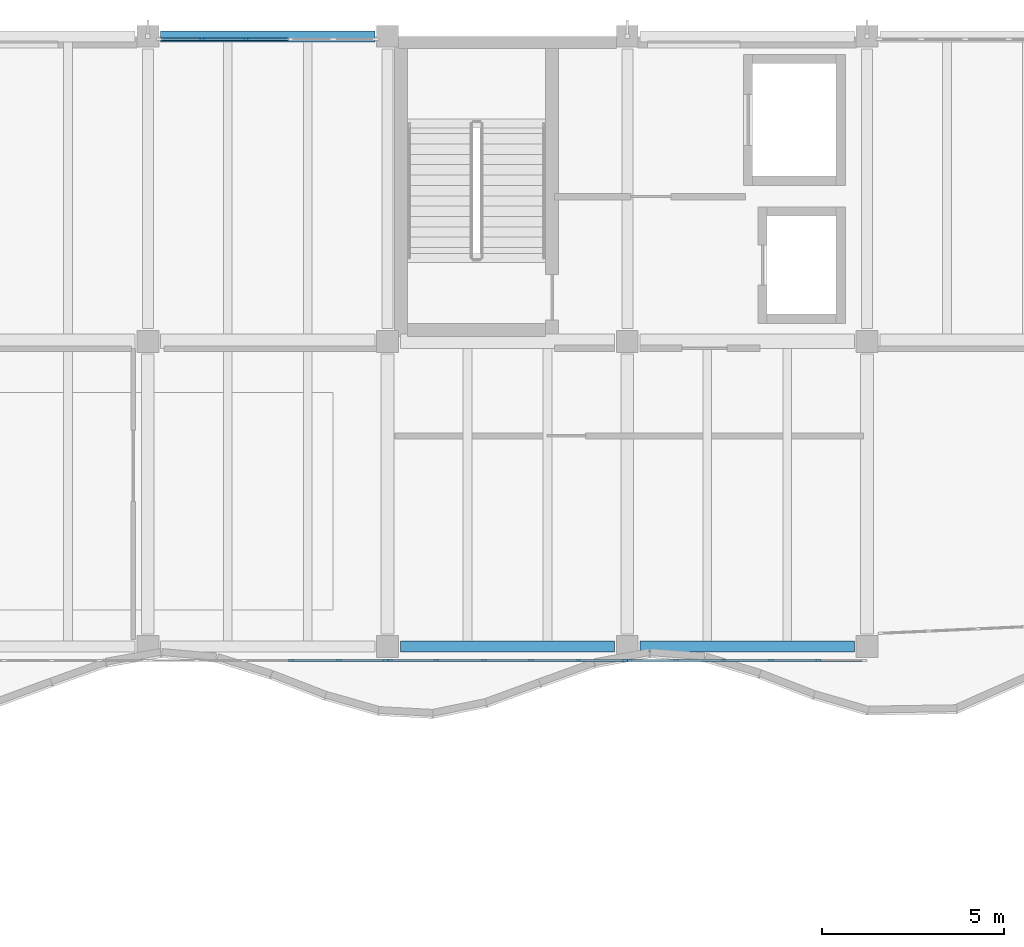
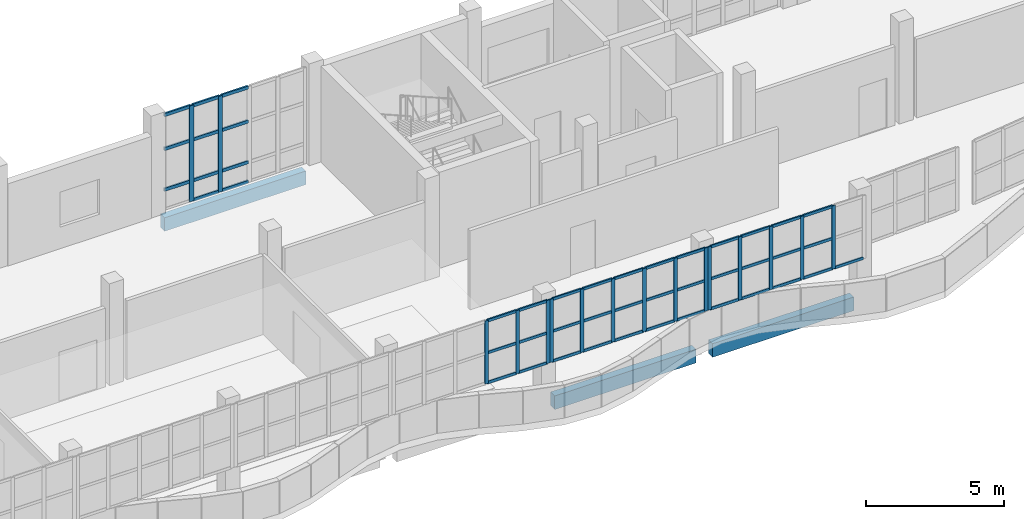
# One storey, part 14 of 76: 61 members, 3 beams, 4 elements without a shape of their own.
"""IFC4 building model written with IfcOpenShell, lengths in metres."""

from ifc_helpers import new_model, si_unit, direction, frame, origin, origin_2d, place, context, subcontext, project, spatial, rectangle, extrude, material, material_profile, profile_set, type_object, element, aggregate, save


model = new_model("IFC4")

# Units and contexts
model_context = context("Model", 3, precision=1e-05, world=origin(), true_north=direction((0.0, 1.0)))
body_context = subcontext(model_context, "Body", "Model", "MODEL_VIEW")
ifc_project = project(units=[si_unit("LENGTHUNIT", "METRE"), si_unit("AREAUNIT", "SQUARE_METRE"), si_unit("VOLUMEUNIT", "CUBIC_METRE"), si_unit("PLANEANGLEUNIT", "RADIAN"), si_unit("MASSUNIT", "GRAM", prefix="KILO")], contexts=[model_context])

# Site, building, storey
site_placement = place(None, origin())
site = spatial("IfcSite", under=ifc_project, at=site_placement, CompositionType="ELEMENT")
building_placement = place(site_placement, origin())
building = spatial("IfcBuilding", under=site, at=building_placement, Name="Qaldarim Faculty of Natural and Applied Sciences", CompositionType="ELEMENT")
storey_placement = place(building_placement, frame((0.0, 0.0, 9.89990234375)))
storey = spatial("IfcBuildingStorey", under=building, at=storey_placement, Name="L02", CompositionType="ELEMENT", Elevation=9.89990234375)

# Curtain wall, members
ifc_material_1 = material(Name="Anodised aluminium AW-6063", Category="aluminium")
curtain_wall_type_1 = type_object("IfcCurtainWallType", Name="CurtainWallSystem-M1400", PredefinedType="USERDEFINED", material=ifc_material_1)
curtain_wall_1_placement = place(storey_placement, origin())
curtain_wall_1 = element("IfcCurtainWall", 1, at=curtain_wall_1_placement, inside=storey, type_object=curtain_wall_type_1, Name="Curtain wall CW-V4RIB-L02-X15", ObjectType="STICK CURTAIN WALL", PredefinedType="USERDEFINED")
ifc_material_profile_1 = material_profile(ifc_material_1, rectangle(XDim=0.06005859375, YDim=0.14990234375, at=origin_2d()), Name="ALU-M60x150")
ifc_profile_set_1 = profile_set([ifc_material_profile_1], Name="Anodised aluminium AW-6063")
member_type_1 = type_object("IfcMemberType", Name="Mullion-ALU60x150", PredefinedType="MULLION", material=ifc_profile_set_1)
member_1_placement = place(storey_placement, frame((96.35205078125, 100.419921875, 1.4501953125), z_axis=(0.0, 0.0, 1.0), x_axis=(0.0, 1.0, 0.0)))
member_1 = element("IfcMember", 2, at=member_1_placement, type_object=member_type_1, Name="Mullion 4 of CW-V4RIB-L02-X15", PredefinedType="MULLION", context=body_context, shape_type="SweptSolid", body=[
    extrude(rectangle(XDim=0.06005859375, YDim=0.14990234375, at=origin_2d()), origin(), (0.0, 0.0, 1.0), 2.789794921875),
])
member_2_placement = place(storey_placement, frame((97.656005859375, 100.419921875, 1.4501953125), z_axis=(0.0, 0.0, 1.0), x_axis=(0.0, 1.0, 0.0)))
member_2 = element("IfcMember", 3, at=member_2_placement, type_object=member_type_1, Name="Mullion 5 of CW-V4RIB-L02-X15", PredefinedType="MULLION", context=body_context, shape_type="SweptSolid", body=[
    extrude(rectangle(XDim=0.06005859375, YDim=0.14990234375, at=origin_2d()), origin(), (0.0, 0.0, 1.0), 2.789794921875),
])
member_3_placement = place(storey_placement, frame((98.929931640625, 100.419921875, 1.4501953125), z_axis=(0.0, 0.0, 1.0), x_axis=(0.0, 1.0, 0.0)))
member_3 = element("IfcMember", 4, at=member_3_placement, type_object=member_type_1, Name="Mullion 6 of CW-V4RIB-L02-X15", PredefinedType="MULLION", context=body_context, shape_type="SweptSolid", body=[
    extrude(rectangle(XDim=0.06005859375, YDim=0.14990234375, at=origin_2d()), origin(), (0.0, 0.0, 1.0), 2.789794921875),
])

curtain_wall_2_placement = place(storey_placement, origin())
curtain_wall_2 = element("IfcCurtainWall", 5, at=curtain_wall_2_placement, inside=storey, type_object=curtain_wall_type_1, Name="Curtain wall CW-V4RIB-L02-X16", ObjectType="STICK CURTAIN WALL", PredefinedType="USERDEFINED")
member_4_placement = place(storey_placement, frame((99.070068359375, 100.419921875, 1.4501953125), z_axis=(0.0, 0.0, 1.0), x_axis=(0.0, 1.0, 0.0)))
member_4 = element("IfcMember", 6, at=member_4_placement, type_object=member_type_1, Name="Mullion 1 of CW-V4RIB-L02-X16", PredefinedType="MULLION", context=body_context, shape_type="SweptSolid", body=[
    extrude(rectangle(XDim=0.06005859375, YDim=0.14990234375, at=origin_2d()), origin(), (0.0, 0.0, 1.0), 2.789794921875),
])
member_5_placement = place(storey_placement, frame((100.343994140625, 100.419921875, 1.4501953125), z_axis=(0.0, 0.0, 1.0), x_axis=(0.0, 1.0, 0.0)))
member_5 = element("IfcMember", 7, at=member_5_placement, type_object=member_type_1, Name="Mullion 2 of CW-V4RIB-L02-X16", PredefinedType="MULLION", context=body_context, shape_type="SweptSolid", body=[
    extrude(rectangle(XDim=0.06005859375, YDim=0.14990234375, at=origin_2d()), origin(), (0.0, 0.0, 1.0), 2.789794921875),
])
member_6_placement = place(storey_placement, frame((101.64794921875, 100.419921875, 1.4501953125), z_axis=(0.0, 0.0, 1.0), x_axis=(0.0, 1.0, 0.0)))
member_6 = element("IfcMember", 8, at=member_6_placement, type_object=member_type_1, Name="Mullion 3 of CW-V4RIB-L02-X16", PredefinedType="MULLION", context=body_context, shape_type="SweptSolid", body=[
    extrude(rectangle(XDim=0.06005859375, YDim=0.14990234375, at=origin_2d()), origin(), (0.0, 0.0, 1.0), 2.789794921875),
])
member_7_placement = place(storey_placement, frame((102.951904296875, 100.419921875, 1.4501953125), z_axis=(0.0, 0.0, 1.0), x_axis=(0.0, 1.0, 0.0)))
member_7 = element("IfcMember", 9, at=member_7_placement, type_object=member_type_1, Name="Mullion 4 of CW-V4RIB-L02-X16", PredefinedType="MULLION", context=body_context, shape_type="SweptSolid", body=[
    extrude(rectangle(XDim=0.06005859375, YDim=0.14990234375, at=origin_2d()), origin(), (0.0, 0.0, 1.0), 2.789794921875),
])
member_8_placement = place(storey_placement, frame((104.256103515625, 100.419921875, 1.4501953125), z_axis=(0.0, 0.0, 1.0), x_axis=(0.0, 1.0, 0.0)))
member_8 = element("IfcMember", 10, at=member_8_placement, type_object=member_type_1, Name="Mullion 5 of CW-V4RIB-L02-X16", PredefinedType="MULLION", context=body_context, shape_type="SweptSolid", body=[
    extrude(rectangle(XDim=0.06005859375, YDim=0.14990234375, at=origin_2d()), origin(), (0.0, 0.0, 1.0), 2.789794921875),
])
member_9_placement = place(storey_placement, frame((105.530029296875, 100.419921875, 1.4501953125), z_axis=(0.0, 0.0, 1.0), x_axis=(0.0, 1.0, 0.0)))
member_9 = element("IfcMember", 11, at=member_9_placement, type_object=member_type_1, Name="Mullion 6 of CW-V4RIB-L02-X16", PredefinedType="MULLION", context=body_context, shape_type="SweptSolid", body=[
    extrude(rectangle(XDim=0.06005859375, YDim=0.14990234375, at=origin_2d()), origin(), (0.0, 0.0, 1.0), 2.789794921875),
])

curtain_wall_3_placement = place(storey_placement, origin())
curtain_wall_3 = element("IfcCurtainWall", 12, at=curtain_wall_3_placement, inside=storey, type_object=curtain_wall_type_1, Name="Curtain wall CW-V4RIB-L02-X17", ObjectType="STICK CURTAIN WALL", PredefinedType="USERDEFINED")
member_10_placement = place(storey_placement, frame((105.669921875, 100.419921875, 1.4501953125), z_axis=(0.0, 0.0, 1.0), x_axis=(0.0, 1.0, 0.0)))
member_10 = element("IfcMember", 13, at=member_10_placement, type_object=member_type_1, Name="Mullion 1 of CW-V4RIB-L02-X17", PredefinedType="MULLION", context=body_context, shape_type="SweptSolid", body=[
    extrude(rectangle(XDim=0.06005859375, YDim=0.14990234375, at=origin_2d()), origin(), (0.0, 0.0, 1.0), 2.789794921875),
])
member_11_placement = place(storey_placement, frame((106.944091796875, 100.419921875, 1.4501953125), z_axis=(0.0, 0.0, 1.0), x_axis=(0.0, 1.0, 0.0)))
member_11 = element("IfcMember", 14, at=member_11_placement, type_object=member_type_1, Name="Mullion 2 of CW-V4RIB-L02-X17", PredefinedType="MULLION", context=body_context, shape_type="SweptSolid", body=[
    extrude(rectangle(XDim=0.06005859375, YDim=0.14990234375, at=origin_2d()), origin(), (0.0, 0.0, 1.0), 2.789794921875),
])
member_12_placement = place(storey_placement, frame((108.248046875, 100.419921875, 1.4501953125), z_axis=(0.0, 0.0, 1.0), x_axis=(0.0, 1.0, 0.0)))
member_12 = element("IfcMember", 15, at=member_12_placement, type_object=member_type_1, Name="Mullion 3 of CW-V4RIB-L02-X17", PredefinedType="MULLION", context=body_context, shape_type="SweptSolid", body=[
    extrude(rectangle(XDim=0.06005859375, YDim=0.14990234375, at=origin_2d()), origin(), (0.0, 0.0, 1.0), 2.789794921875),
])
member_13_placement = place(storey_placement, frame((109.552001953125, 100.419921875, 1.4501953125), z_axis=(0.0, 0.0, 1.0), x_axis=(0.0, 1.0, 0.0)))
member_13 = element("IfcMember", 16, at=member_13_placement, type_object=member_type_1, Name="Mullion 4 of CW-V4RIB-L02-X17", PredefinedType="MULLION", context=body_context, shape_type="SweptSolid", body=[
    extrude(rectangle(XDim=0.06005859375, YDim=0.14990234375, at=origin_2d()), origin(), (0.0, 0.0, 1.0), 2.789794921875),
])
member_14_placement = place(storey_placement, frame((110.85595703125, 100.419921875, 1.4501953125), z_axis=(0.0, 0.0, 1.0), x_axis=(0.0, 1.0, 0.0)))
member_14 = element("IfcMember", 17, at=member_14_placement, type_object=member_type_1, Name="Mullion 5 of CW-V4RIB-L02-X17", PredefinedType="MULLION", context=body_context, shape_type="SweptSolid", body=[
    extrude(rectangle(XDim=0.06005859375, YDim=0.14990234375, at=origin_2d()), origin(), (0.0, 0.0, 1.0), 2.789794921875),
])

curtain_wall_type_2 = type_object("IfcCurtainWallType", Name="CurtainWallSystem-M1200", PredefinedType="USERDEFINED", material=ifc_material_1)
curtain_wall_4_placement = place(storey_placement, origin())
curtain_wall_4 = element("IfcCurtainWall", 18, at=curtain_wall_4_placement, inside=storey, type_object=curtain_wall_type_2, Name="Curtain wall CW-L02-N-X15Y14", ObjectType="STICK CURTAIN WALL", PredefinedType="USERDEFINED")
ifc_material_profile_2 = material_profile(ifc_material_1, rectangle(XDim=0.070068359375, YDim=0.179931640625, at=origin_2d()), Name="ALU-M70x180")
ifc_profile_set_2 = profile_set([ifc_material_profile_2], Name="Anodised aluminium AW-6063")
member_type_2 = type_object("IfcMemberType", Name="Mullion-ALU70x180", PredefinedType="MULLION", material=ifc_profile_set_2)
member_15_placement = place(storey_placement, frame((95.09912109375, 117.52001953125, 0.0), z_axis=(0.0, 0.0, 1.0), x_axis=(0.0, -1.0, 0.0)))
member_15 = element("IfcMember", 19, at=member_15_placement, type_object=member_type_2, Name="Mullion 4 of CW-L02-N-X15Y14", PredefinedType="MULLION", context=body_context, shape_type="SweptSolid", body=[
    extrude(rectangle(XDim=0.070068359375, YDim=0.179931640625, at=origin_2d()), origin(), (0.0, 0.0, 1.0), 4.239990234375),
])
member_16_placement = place(storey_placement, frame((93.89697265625, 117.52001953125, 0.0), z_axis=(0.0, 0.0, 1.0), x_axis=(0.0, -1.0, 0.0)))
member_16 = element("IfcMember", 20, at=member_16_placement, type_object=member_type_2, Name="Mullion 5 of CW-L02-N-X15Y14", PredefinedType="MULLION", context=body_context, shape_type="SweptSolid", body=[
    extrude(rectangle(XDim=0.070068359375, YDim=0.179931640625, at=origin_2d()), origin(), (0.0, 0.0, 1.0), 4.239990234375),
])

# Beams
ifc_material_2 = material(Name="Precast concrete C40/50", Category="concrete")
ifc_material_profile_3 = material_profile(ifc_material_2, rectangle(XDim=0.300048828125, YDim=0.60009765625, at=origin_2d()), Name="RC-SP300x600")
ifc_profile_set_3 = profile_set([ifc_material_profile_3], Name="Precast concrete C40/50")
beam_type = type_object("IfcBeamType", Name="SpandrelBeam-RC300x600", PredefinedType="SPANDREL", material=ifc_profile_set_3)
beam_1_placement = place(storey_placement, frame((99.35009765625, 100.800048828125, -0.599853515625), z_axis=(1.0, 0.0, 0.0), x_axis=(0.0, 1.0, 0.0)))
element("IfcBeam", 21, at=beam_1_placement, inside=storey, type_object=beam_type, Name="Beam RC-SP300x600 L01 X16-X17/Y13", PredefinedType="SPANDREL", context=body_context, shape_type="SweptSolid", body=[
    extrude(rectangle(XDim=0.300048828125, YDim=0.60009765625, at=origin_2d()), origin(), (0.0, 0.0, 1.0), 5.89990234375),
])
beam_2_placement = place(storey_placement, frame((105.949951171875, 100.800048828125, -0.599853515625), z_axis=(1.0, 0.0, 0.0), x_axis=(0.0, 1.0, 0.0)))
element("IfcBeam", 22, at=beam_2_placement, inside=storey, type_object=beam_type, Name="Beam RC-SP300x600 L01 X17-X18/Y13", PredefinedType="SPANDREL", context=body_context, shape_type="SweptSolid", body=[
    extrude(rectangle(XDim=0.300048828125, YDim=0.60009765625, at=origin_2d()), origin(), (0.0, 0.0, 1.0), 5.900146484375),
])
beam_3_placement = place(storey_placement, frame((92.75, 117.60009765625, -0.599853515625), z_axis=(1.0, 0.0, 0.0), x_axis=(0.0, 1.0, 0.0)))
element("IfcBeam", 23, at=beam_3_placement, inside=storey, type_object=beam_type, Name="Beam RC-SP300x600 L01 X15-X16/Y15", PredefinedType="SPANDREL", context=body_context, shape_type="SweptSolid", body=[
    extrude(rectangle(XDim=0.300048828125, YDim=0.60009765625, at=origin_2d()), origin(), (0.0, 0.0, 1.0), 5.89990234375),
])

# Member
ifc_material_profile_4 = material_profile(ifc_material_1, rectangle(XDim=0.06005859375, YDim=0.1201171875, at=origin_2d()), Name="ALU-T60x120")
ifc_profile_set_4 = profile_set([ifc_material_profile_4], Name="Anodised aluminium AW-6063")
member_type_3 = type_object("IfcMemberType", Name="Transom-ALU60x120", PredefinedType="USERDEFINED", material=ifc_profile_set_4)
member_17_placement = place(storey_placement, frame((96.382080078125, 100.419921875, 1.47998046875), z_axis=(1.0, 0.0, 0.0), x_axis=(0.0, 1.0, 0.0)))
member_17 = element("IfcMember", 24, at=member_17_placement, type_object=member_type_3, Name="Transom 4-1 of CW-V4RIB-L02-X15", ObjectType="TRANSOM", PredefinedType="USERDEFINED", context=body_context, shape_type="SweptSolid", body=[
    extrude(rectangle(XDim=0.06005859375, YDim=0.1201171875, at=origin_2d()), origin(), (0.0, 0.0, 1.0), 1.243896484375),
])

member_18_placement = place(storey_placement, frame((96.382080078125, 100.419921875, 2.800048828125), z_axis=(1.0, 0.0, 0.0), x_axis=(0.0, 1.0, 0.0)))
member_18 = element("IfcMember", 25, at=member_18_placement, type_object=member_type_3, Name="Transom 4-2 of CW-V4RIB-L02-X15", ObjectType="TRANSOM", PredefinedType="USERDEFINED", context=body_context, shape_type="SweptSolid", body=[
    extrude(rectangle(XDim=0.06005859375, YDim=0.1201171875, at=origin_2d()), origin(), (0.0, 0.0, 1.0), 1.243896484375),
])

member_19_placement = place(storey_placement, frame((96.382080078125, 100.419921875, 4.210205078125), z_axis=(1.0, 0.0, 0.0), x_axis=(0.0, 1.0, 0.0)))
member_19 = element("IfcMember", 26, at=member_19_placement, type_object=member_type_3, Name="Transom 4-3 of CW-V4RIB-L02-X15", ObjectType="TRANSOM", PredefinedType="USERDEFINED", context=body_context, shape_type="SweptSolid", body=[
    extrude(rectangle(XDim=0.06005859375, YDim=0.1201171875, at=origin_2d()), origin(), (0.0, 0.0, 1.0), 1.243896484375),
])

member_20_placement = place(storey_placement, frame((97.68603515625, 100.419921875, 1.47998046875), z_axis=(1.0, 0.0, 0.0), x_axis=(0.0, 1.0, 0.0)))
member_20 = element("IfcMember", 27, at=member_20_placement, type_object=member_type_3, Name="Transom 5-1 of CW-V4RIB-L02-X15", ObjectType="TRANSOM", PredefinedType="USERDEFINED", context=body_context, shape_type="SweptSolid", body=[
    extrude(rectangle(XDim=0.06005859375, YDim=0.1201171875, at=origin_2d()), origin(), (0.0, 0.0, 1.0), 1.2138671875),
])

member_21_placement = place(storey_placement, frame((97.68603515625, 100.419921875, 2.800048828125), z_axis=(1.0, 0.0, 0.0), x_axis=(0.0, 1.0, 0.0)))
member_21 = element("IfcMember", 28, at=member_21_placement, type_object=member_type_3, Name="Transom 5-2 of CW-V4RIB-L02-X15", ObjectType="TRANSOM", PredefinedType="USERDEFINED", context=body_context, shape_type="SweptSolid", body=[
    extrude(rectangle(XDim=0.06005859375, YDim=0.1201171875, at=origin_2d()), origin(), (0.0, 0.0, 1.0), 1.2138671875),
])

member_22_placement = place(storey_placement, frame((97.68603515625, 100.419921875, 4.210205078125), z_axis=(1.0, 0.0, 0.0), x_axis=(0.0, 1.0, 0.0)))
member_22 = element("IfcMember", 29, at=member_22_placement, type_object=member_type_3, Name="Transom 5-3 of CW-V4RIB-L02-X15", ObjectType="TRANSOM", PredefinedType="USERDEFINED", context=body_context, shape_type="SweptSolid", body=[
    extrude(rectangle(XDim=0.06005859375, YDim=0.1201171875, at=origin_2d()), origin(), (0.0, 0.0, 1.0), 1.2138671875),
])

aggregate(curtain_wall_1, [member_1, member_2, member_3, member_17, member_18, member_19, member_20, member_21, member_22])

member_23_placement = place(storey_placement, frame((99.10009765625, 100.419921875, 1.47998046875), z_axis=(1.0, 0.0, 0.0), x_axis=(0.0, 1.0, 0.0)))
member_23 = element("IfcMember", 30, at=member_23_placement, type_object=member_type_3, Name="Transom 1-1 of CW-V4RIB-L02-X16", ObjectType="TRANSOM", PredefinedType="USERDEFINED", context=body_context, shape_type="SweptSolid", body=[
    extrude(rectangle(XDim=0.06005859375, YDim=0.1201171875, at=origin_2d()), origin(), (0.0, 0.0, 1.0), 1.2138671875),
])

member_24_placement = place(storey_placement, frame((99.10009765625, 100.419921875, 2.800048828125), z_axis=(1.0, 0.0, 0.0), x_axis=(0.0, 1.0, 0.0)))
member_24 = element("IfcMember", 31, at=member_24_placement, type_object=member_type_3, Name="Transom 1-2 of CW-V4RIB-L02-X16", ObjectType="TRANSOM", PredefinedType="USERDEFINED", context=body_context, shape_type="SweptSolid", body=[
    extrude(rectangle(XDim=0.06005859375, YDim=0.1201171875, at=origin_2d()), origin(), (0.0, 0.0, 1.0), 1.2138671875),
])

member_25_placement = place(storey_placement, frame((99.10009765625, 100.419921875, 4.210205078125), z_axis=(1.0, 0.0, 0.0), x_axis=(0.0, 1.0, 0.0)))
member_25 = element("IfcMember", 32, at=member_25_placement, type_object=member_type_3, Name="Transom 1-3 of CW-V4RIB-L02-X16", ObjectType="TRANSOM", PredefinedType="USERDEFINED", context=body_context, shape_type="SweptSolid", body=[
    extrude(rectangle(XDim=0.06005859375, YDim=0.1201171875, at=origin_2d()), origin(), (0.0, 0.0, 1.0), 1.2138671875),
])

member_26_placement = place(storey_placement, frame((100.3740234375, 100.419921875, 1.47998046875), z_axis=(1.0, 0.0, 0.0), x_axis=(0.0, 1.0, 0.0)))
member_26 = element("IfcMember", 33, at=member_26_placement, type_object=member_type_3, Name="Transom 2-1 of CW-V4RIB-L02-X16", ObjectType="TRANSOM", PredefinedType="USERDEFINED", context=body_context, shape_type="SweptSolid", body=[
    extrude(rectangle(XDim=0.06005859375, YDim=0.1201171875, at=origin_2d()), origin(), (0.0, 0.0, 1.0), 1.243896484375),
])

member_27_placement = place(storey_placement, frame((100.3740234375, 100.419921875, 2.800048828125), z_axis=(1.0, 0.0, 0.0), x_axis=(0.0, 1.0, 0.0)))
member_27 = element("IfcMember", 34, at=member_27_placement, type_object=member_type_3, Name="Transom 2-2 of CW-V4RIB-L02-X16", ObjectType="TRANSOM", PredefinedType="USERDEFINED", context=body_context, shape_type="SweptSolid", body=[
    extrude(rectangle(XDim=0.06005859375, YDim=0.1201171875, at=origin_2d()), origin(), (0.0, 0.0, 1.0), 1.243896484375),
])

member_28_placement = place(storey_placement, frame((100.3740234375, 100.419921875, 4.210205078125), z_axis=(1.0, 0.0, 0.0), x_axis=(0.0, 1.0, 0.0)))
member_28 = element("IfcMember", 35, at=member_28_placement, type_object=member_type_3, Name="Transom 2-3 of CW-V4RIB-L02-X16", ObjectType="TRANSOM", PredefinedType="USERDEFINED", context=body_context, shape_type="SweptSolid", body=[
    extrude(rectangle(XDim=0.06005859375, YDim=0.1201171875, at=origin_2d()), origin(), (0.0, 0.0, 1.0), 1.243896484375),
])

member_29_placement = place(storey_placement, frame((101.677978515625, 100.419921875, 1.47998046875), z_axis=(1.0, 0.0, 0.0), x_axis=(0.0, 1.0, 0.0)))
member_29 = element("IfcMember", 36, at=member_29_placement, type_object=member_type_3, Name="Transom 3-1 of CW-V4RIB-L02-X16", ObjectType="TRANSOM", PredefinedType="USERDEFINED", context=body_context, shape_type="SweptSolid", body=[
    extrude(rectangle(XDim=0.06005859375, YDim=0.1201171875, at=origin_2d()), origin(), (0.0, 0.0, 1.0), 1.244140625),
])

member_30_placement = place(storey_placement, frame((101.677978515625, 100.419921875, 2.800048828125), z_axis=(1.0, 0.0, 0.0), x_axis=(0.0, 1.0, 0.0)))
member_30 = element("IfcMember", 37, at=member_30_placement, type_object=member_type_3, Name="Transom 3-2 of CW-V4RIB-L02-X16", ObjectType="TRANSOM", PredefinedType="USERDEFINED", context=body_context, shape_type="SweptSolid", body=[
    extrude(rectangle(XDim=0.06005859375, YDim=0.1201171875, at=origin_2d()), origin(), (0.0, 0.0, 1.0), 1.244140625),
])

member_31_placement = place(storey_placement, frame((101.677978515625, 100.419921875, 4.210205078125), z_axis=(1.0, 0.0, 0.0), x_axis=(0.0, 1.0, 0.0)))
member_31 = element("IfcMember", 38, at=member_31_placement, type_object=member_type_3, Name="Transom 3-3 of CW-V4RIB-L02-X16", ObjectType="TRANSOM", PredefinedType="USERDEFINED", context=body_context, shape_type="SweptSolid", body=[
    extrude(rectangle(XDim=0.06005859375, YDim=0.1201171875, at=origin_2d()), origin(), (0.0, 0.0, 1.0), 1.244140625),
])

member_32_placement = place(storey_placement, frame((102.98193359375, 100.419921875, 1.47998046875), z_axis=(1.0, 0.0, 0.0), x_axis=(0.0, 1.0, 0.0)))
member_32 = element("IfcMember", 39, at=member_32_placement, type_object=member_type_3, Name="Transom 4-1 of CW-V4RIB-L02-X16", ObjectType="TRANSOM", PredefinedType="USERDEFINED", context=body_context, shape_type="SweptSolid", body=[
    extrude(rectangle(XDim=0.06005859375, YDim=0.1201171875, at=origin_2d()), origin(), (0.0, 0.0, 1.0), 1.244140625),
])

member_33_placement = place(storey_placement, frame((102.98193359375, 100.419921875, 2.800048828125), z_axis=(1.0, 0.0, 0.0), x_axis=(0.0, 1.0, 0.0)))
member_33 = element("IfcMember", 40, at=member_33_placement, type_object=member_type_3, Name="Transom 4-2 of CW-V4RIB-L02-X16", ObjectType="TRANSOM", PredefinedType="USERDEFINED", context=body_context, shape_type="SweptSolid", body=[
    extrude(rectangle(XDim=0.06005859375, YDim=0.1201171875, at=origin_2d()), origin(), (0.0, 0.0, 1.0), 1.244140625),
])

member_34_placement = place(storey_placement, frame((102.98193359375, 100.419921875, 4.210205078125), z_axis=(1.0, 0.0, 0.0), x_axis=(0.0, 1.0, 0.0)))
member_34 = element("IfcMember", 41, at=member_34_placement, type_object=member_type_3, Name="Transom 4-3 of CW-V4RIB-L02-X16", ObjectType="TRANSOM", PredefinedType="USERDEFINED", context=body_context, shape_type="SweptSolid", body=[
    extrude(rectangle(XDim=0.06005859375, YDim=0.1201171875, at=origin_2d()), origin(), (0.0, 0.0, 1.0), 1.244140625),
])

member_35_placement = place(storey_placement, frame((104.285888671875, 100.419921875, 1.47998046875), z_axis=(1.0, 0.0, 0.0), x_axis=(0.0, 1.0, 0.0)))
member_35 = element("IfcMember", 42, at=member_35_placement, type_object=member_type_3, Name="Transom 5-1 of CW-V4RIB-L02-X16", ObjectType="TRANSOM", PredefinedType="USERDEFINED", context=body_context, shape_type="SweptSolid", body=[
    extrude(rectangle(XDim=0.06005859375, YDim=0.1201171875, at=origin_2d()), origin(), (0.0, 0.0, 1.0), 1.214111328125),
])

member_36_placement = place(storey_placement, frame((104.285888671875, 100.419921875, 2.800048828125), z_axis=(1.0, 0.0, 0.0), x_axis=(0.0, 1.0, 0.0)))
member_36 = element("IfcMember", 43, at=member_36_placement, type_object=member_type_3, Name="Transom 5-2 of CW-V4RIB-L02-X16", ObjectType="TRANSOM", PredefinedType="USERDEFINED", context=body_context, shape_type="SweptSolid", body=[
    extrude(rectangle(XDim=0.06005859375, YDim=0.1201171875, at=origin_2d()), origin(), (0.0, 0.0, 1.0), 1.214111328125),
])

member_37_placement = place(storey_placement, frame((104.285888671875, 100.419921875, 4.210205078125), z_axis=(1.0, 0.0, 0.0), x_axis=(0.0, 1.0, 0.0)))
member_37 = element("IfcMember", 44, at=member_37_placement, type_object=member_type_3, Name="Transom 5-3 of CW-V4RIB-L02-X16", ObjectType="TRANSOM", PredefinedType="USERDEFINED", context=body_context, shape_type="SweptSolid", body=[
    extrude(rectangle(XDim=0.06005859375, YDim=0.1201171875, at=origin_2d()), origin(), (0.0, 0.0, 1.0), 1.214111328125),
])

aggregate(curtain_wall_2, [member_4, member_5, member_6, member_7, member_8, member_9, member_23, member_24, member_25, member_26, member_27, member_28, member_29, member_30, member_31, member_32, member_33, member_34, member_35, member_36, member_37])

member_38_placement = place(storey_placement, frame((105.699951171875, 100.419921875, 1.47998046875), z_axis=(1.0, 0.0, 0.0), x_axis=(0.0, 1.0, 0.0)))
member_38 = element("IfcMember", 45, at=member_38_placement, type_object=member_type_3, Name="Transom 1-1 of CW-V4RIB-L02-X17", ObjectType="TRANSOM", PredefinedType="USERDEFINED", context=body_context, shape_type="SweptSolid", body=[
    extrude(rectangle(XDim=0.06005859375, YDim=0.1201171875, at=origin_2d()), origin(), (0.0, 0.0, 1.0), 1.214111328125),
])

member_39_placement = place(storey_placement, frame((105.699951171875, 100.419921875, 2.800048828125), z_axis=(1.0, 0.0, 0.0), x_axis=(0.0, 1.0, 0.0)))
member_39 = element("IfcMember", 46, at=member_39_placement, type_object=member_type_3, Name="Transom 1-2 of CW-V4RIB-L02-X17", ObjectType="TRANSOM", PredefinedType="USERDEFINED", context=body_context, shape_type="SweptSolid", body=[
    extrude(rectangle(XDim=0.06005859375, YDim=0.1201171875, at=origin_2d()), origin(), (0.0, 0.0, 1.0), 1.214111328125),
])

member_40_placement = place(storey_placement, frame((105.699951171875, 100.419921875, 4.210205078125), z_axis=(1.0, 0.0, 0.0), x_axis=(0.0, 1.0, 0.0)))
member_40 = element("IfcMember", 47, at=member_40_placement, type_object=member_type_3, Name="Transom 1-3 of CW-V4RIB-L02-X17", ObjectType="TRANSOM", PredefinedType="USERDEFINED", context=body_context, shape_type="SweptSolid", body=[
    extrude(rectangle(XDim=0.06005859375, YDim=0.1201171875, at=origin_2d()), origin(), (0.0, 0.0, 1.0), 1.214111328125),
])

member_41_placement = place(storey_placement, frame((106.97412109375, 100.419921875, 1.47998046875), z_axis=(1.0, 0.0, 0.0), x_axis=(0.0, 1.0, 0.0)))
member_41 = element("IfcMember", 48, at=member_41_placement, type_object=member_type_3, Name="Transom 2-1 of CW-V4RIB-L02-X17", ObjectType="TRANSOM", PredefinedType="USERDEFINED", context=body_context, shape_type="SweptSolid", body=[
    extrude(rectangle(XDim=0.06005859375, YDim=0.1201171875, at=origin_2d()), origin(), (0.0, 0.0, 1.0), 1.243896484375),
])

member_42_placement = place(storey_placement, frame((106.97412109375, 100.419921875, 2.800048828125), z_axis=(1.0, 0.0, 0.0), x_axis=(0.0, 1.0, 0.0)))
member_42 = element("IfcMember", 49, at=member_42_placement, type_object=member_type_3, Name="Transom 2-2 of CW-V4RIB-L02-X17", ObjectType="TRANSOM", PredefinedType="USERDEFINED", context=body_context, shape_type="SweptSolid", body=[
    extrude(rectangle(XDim=0.06005859375, YDim=0.1201171875, at=origin_2d()), origin(), (0.0, 0.0, 1.0), 1.243896484375),
])

member_43_placement = place(storey_placement, frame((106.97412109375, 100.419921875, 4.210205078125), z_axis=(1.0, 0.0, 0.0), x_axis=(0.0, 1.0, 0.0)))
member_43 = element("IfcMember", 50, at=member_43_placement, type_object=member_type_3, Name="Transom 2-3 of CW-V4RIB-L02-X17", ObjectType="TRANSOM", PredefinedType="USERDEFINED", context=body_context, shape_type="SweptSolid", body=[
    extrude(rectangle(XDim=0.06005859375, YDim=0.1201171875, at=origin_2d()), origin(), (0.0, 0.0, 1.0), 1.243896484375),
])

member_44_placement = place(storey_placement, frame((108.278076171875, 100.419921875, 1.47998046875), z_axis=(1.0, 0.0, 0.0), x_axis=(0.0, 1.0, 0.0)))
member_44 = element("IfcMember", 51, at=member_44_placement, type_object=member_type_3, Name="Transom 3-1 of CW-V4RIB-L02-X17", ObjectType="TRANSOM", PredefinedType="USERDEFINED", context=body_context, shape_type="SweptSolid", body=[
    extrude(rectangle(XDim=0.06005859375, YDim=0.1201171875, at=origin_2d()), origin(), (0.0, 0.0, 1.0), 1.243896484375),
])

member_45_placement = place(storey_placement, frame((108.278076171875, 100.419921875, 2.800048828125), z_axis=(1.0, 0.0, 0.0), x_axis=(0.0, 1.0, 0.0)))
member_45 = element("IfcMember", 52, at=member_45_placement, type_object=member_type_3, Name="Transom 3-2 of CW-V4RIB-L02-X17", ObjectType="TRANSOM", PredefinedType="USERDEFINED", context=body_context, shape_type="SweptSolid", body=[
    extrude(rectangle(XDim=0.06005859375, YDim=0.1201171875, at=origin_2d()), origin(), (0.0, 0.0, 1.0), 1.243896484375),
])

member_46_placement = place(storey_placement, frame((108.278076171875, 100.419921875, 4.210205078125), z_axis=(1.0, 0.0, 0.0), x_axis=(0.0, 1.0, 0.0)))
member_46 = element("IfcMember", 53, at=member_46_placement, type_object=member_type_3, Name="Transom 3-3 of CW-V4RIB-L02-X17", ObjectType="TRANSOM", PredefinedType="USERDEFINED", context=body_context, shape_type="SweptSolid", body=[
    extrude(rectangle(XDim=0.06005859375, YDim=0.1201171875, at=origin_2d()), origin(), (0.0, 0.0, 1.0), 1.243896484375),
])

member_47_placement = place(storey_placement, frame((109.58203125, 100.419921875, 1.47998046875), z_axis=(1.0, 0.0, 0.0), x_axis=(0.0, 1.0, 0.0)))
member_47 = element("IfcMember", 54, at=member_47_placement, type_object=member_type_3, Name="Transom 4-1 of CW-V4RIB-L02-X17", ObjectType="TRANSOM", PredefinedType="USERDEFINED", context=body_context, shape_type="SweptSolid", body=[
    extrude(rectangle(XDim=0.06005859375, YDim=0.1201171875, at=origin_2d()), origin(), (0.0, 0.0, 1.0), 1.243896484375),
])

member_48_placement = place(storey_placement, frame((109.58203125, 100.419921875, 2.800048828125), z_axis=(1.0, 0.0, 0.0), x_axis=(0.0, 1.0, 0.0)))
member_48 = element("IfcMember", 55, at=member_48_placement, type_object=member_type_3, Name="Transom 4-2 of CW-V4RIB-L02-X17", ObjectType="TRANSOM", PredefinedType="USERDEFINED", context=body_context, shape_type="SweptSolid", body=[
    extrude(rectangle(XDim=0.06005859375, YDim=0.1201171875, at=origin_2d()), origin(), (0.0, 0.0, 1.0), 1.243896484375),
])

member_49_placement = place(storey_placement, frame((109.58203125, 100.419921875, 4.210205078125), z_axis=(1.0, 0.0, 0.0), x_axis=(0.0, 1.0, 0.0)))
member_49 = element("IfcMember", 56, at=member_49_placement, type_object=member_type_3, Name="Transom 4-3 of CW-V4RIB-L02-X17", ObjectType="TRANSOM", PredefinedType="USERDEFINED", context=body_context, shape_type="SweptSolid", body=[
    extrude(rectangle(XDim=0.06005859375, YDim=0.1201171875, at=origin_2d()), origin(), (0.0, 0.0, 1.0), 1.243896484375),
])

member_50_placement = place(storey_placement, frame((110.885986328125, 100.419921875, 1.47998046875), z_axis=(1.0, 0.0, 0.0), x_axis=(0.0, 1.0, 0.0)))
member_50 = element("IfcMember", 57, at=member_50_placement, type_object=member_type_3, Name="Transom 5-1 of CW-V4RIB-L02-X17", ObjectType="TRANSOM", PredefinedType="USERDEFINED", context=body_context, shape_type="SweptSolid", body=[
    extrude(rectangle(XDim=0.06005859375, YDim=0.1201171875, at=origin_2d()), origin(), (0.0, 0.0, 1.0), 1.214111328125),
])

aggregate(curtain_wall_3, [member_10, member_11, member_12, member_13, member_14, member_38, member_39, member_40, member_41, member_42, member_43, member_44, member_45, member_46, member_47, member_48, member_49, member_50])

ifc_material_profile_5 = material_profile(ifc_material_1, rectangle(XDim=0.070068359375, YDim=0.139892578125, at=origin_2d()), Name="ALU-T70x140")
ifc_profile_set_5 = profile_set([ifc_material_profile_5], Name="Anodised aluminium AW-6063")
member_type_4 = type_object("IfcMemberType", Name="Transom-ALU70x140", PredefinedType="USERDEFINED", material=ifc_profile_set_5)
member_51_placement = place(storey_placement, frame((96.26611328125, 117.52001953125, 0.03515625), z_axis=(-1.0, 0.0, 0.0), x_axis=(0.0, -1.0, 0.0)))
member_51 = element("IfcMember", 58, at=member_51_placement, type_object=member_type_4, Name="Transom 3-1 of CW-L02-N-X15Y14", ObjectType="TRANSOM", PredefinedType="USERDEFINED", context=body_context, shape_type="SweptSolid", body=[
    extrude(rectangle(XDim=0.070068359375, YDim=0.139892578125, at=origin_2d()), origin(), (0.0, 0.0, 1.0), 1.132080078125),
])

member_52_placement = place(storey_placement, frame((96.26611328125, 117.52001953125, 0.900146484375), z_axis=(-1.0, 0.0, 0.0), x_axis=(0.0, -1.0, 0.0)))
member_52 = element("IfcMember", 59, at=member_52_placement, type_object=member_type_4, Name="Transom 3-2 of CW-L02-N-X15Y14", ObjectType="TRANSOM", PredefinedType="USERDEFINED", context=body_context, shape_type="SweptSolid", body=[
    extrude(rectangle(XDim=0.070068359375, YDim=0.139892578125, at=origin_2d()), origin(), (0.0, 0.0, 1.0), 1.132080078125),
])

member_53_placement = place(storey_placement, frame((96.26611328125, 117.52001953125, 2.7001953125), z_axis=(-1.0, 0.0, 0.0), x_axis=(0.0, -1.0, 0.0)))
member_53 = element("IfcMember", 60, at=member_53_placement, type_object=member_type_4, Name="Transom 3-3 of CW-L02-N-X15Y14", ObjectType="TRANSOM", PredefinedType="USERDEFINED", context=body_context, shape_type="SweptSolid", body=[
    extrude(rectangle(XDim=0.070068359375, YDim=0.139892578125, at=origin_2d()), origin(), (0.0, 0.0, 1.0), 1.132080078125),
])

member_54_placement = place(storey_placement, frame((96.26611328125, 117.52001953125, 4.205078125), z_axis=(-1.0, 0.0, 0.0), x_axis=(0.0, -1.0, 0.0)))
member_54 = element("IfcMember", 61, at=member_54_placement, type_object=member_type_4, Name="Transom 3-4 of CW-L02-N-X15Y14", ObjectType="TRANSOM", PredefinedType="USERDEFINED", context=body_context, shape_type="SweptSolid", body=[
    extrude(rectangle(XDim=0.070068359375, YDim=0.139892578125, at=origin_2d()), origin(), (0.0, 0.0, 1.0), 1.132080078125),
])

member_55_placement = place(storey_placement, frame((95.06396484375, 117.52001953125, 0.03515625), z_axis=(-1.0, 0.0, 0.0), x_axis=(0.0, -1.0, 0.0)))
member_55 = element("IfcMember", 62, at=member_55_placement, type_object=member_type_4, Name="Transom 4-1 of CW-L02-N-X15Y14", ObjectType="TRANSOM", PredefinedType="USERDEFINED", context=body_context, shape_type="SweptSolid", body=[
    extrude(rectangle(XDim=0.070068359375, YDim=0.139892578125, at=origin_2d()), origin(), (0.0, 0.0, 1.0), 1.132080078125),
])

member_56_placement = place(storey_placement, frame((95.06396484375, 117.52001953125, 0.900146484375), z_axis=(-1.0, 0.0, 0.0), x_axis=(0.0, -1.0, 0.0)))
member_56 = element("IfcMember", 63, at=member_56_placement, type_object=member_type_4, Name="Transom 4-2 of CW-L02-N-X15Y14", ObjectType="TRANSOM", PredefinedType="USERDEFINED", context=body_context, shape_type="SweptSolid", body=[
    extrude(rectangle(XDim=0.070068359375, YDim=0.139892578125, at=origin_2d()), origin(), (0.0, 0.0, 1.0), 1.132080078125),
])

member_57_placement = place(storey_placement, frame((95.06396484375, 117.52001953125, 2.7001953125), z_axis=(-1.0, 0.0, 0.0), x_axis=(0.0, -1.0, 0.0)))
member_57 = element("IfcMember", 64, at=member_57_placement, type_object=member_type_4, Name="Transom 4-3 of CW-L02-N-X15Y14", ObjectType="TRANSOM", PredefinedType="USERDEFINED", context=body_context, shape_type="SweptSolid", body=[
    extrude(rectangle(XDim=0.070068359375, YDim=0.139892578125, at=origin_2d()), origin(), (0.0, 0.0, 1.0), 1.132080078125),
])

member_58_placement = place(storey_placement, frame((95.06396484375, 117.52001953125, 4.205078125), z_axis=(-1.0, 0.0, 0.0), x_axis=(0.0, -1.0, 0.0)))
member_58 = element("IfcMember", 65, at=member_58_placement, type_object=member_type_4, Name="Transom 4-4 of CW-L02-N-X15Y14", ObjectType="TRANSOM", PredefinedType="USERDEFINED", context=body_context, shape_type="SweptSolid", body=[
    extrude(rectangle(XDim=0.070068359375, YDim=0.139892578125, at=origin_2d()), origin(), (0.0, 0.0, 1.0), 1.132080078125),
])

member_59_placement = place(storey_placement, frame((93.862060546875, 117.52001953125, 0.900146484375), z_axis=(-1.0, 0.0, 0.0), x_axis=(0.0, -1.0, 0.0)))
member_59 = element("IfcMember", 66, at=member_59_placement, type_object=member_type_4, Name="Transom 5-2 of CW-L02-N-X15Y14", ObjectType="TRANSOM", PredefinedType="USERDEFINED", context=body_context, shape_type="SweptSolid", body=[
    extrude(rectangle(XDim=0.070068359375, YDim=0.139892578125, at=origin_2d()), origin(), (0.0, 0.0, 1.0), 1.09716796875),
])

member_60_placement = place(storey_placement, frame((93.862060546875, 117.52001953125, 2.7001953125), z_axis=(-1.0, 0.0, 0.0), x_axis=(0.0, -1.0, 0.0)))
member_60 = element("IfcMember", 67, at=member_60_placement, type_object=member_type_4, Name="Transom 5-3 of CW-L02-N-X15Y14", ObjectType="TRANSOM", PredefinedType="USERDEFINED", context=body_context, shape_type="SweptSolid", body=[
    extrude(rectangle(XDim=0.070068359375, YDim=0.139892578125, at=origin_2d()), origin(), (0.0, 0.0, 1.0), 1.09716796875),
])

member_61_placement = place(storey_placement, frame((93.862060546875, 117.52001953125, 4.205078125), z_axis=(-1.0, 0.0, 0.0), x_axis=(0.0, -1.0, 0.0)))
member_61 = element("IfcMember", 68, at=member_61_placement, type_object=member_type_4, Name="Transom 5-4 of CW-L02-N-X15Y14", ObjectType="TRANSOM", PredefinedType="USERDEFINED", context=body_context, shape_type="SweptSolid", body=[
    extrude(rectangle(XDim=0.070068359375, YDim=0.139892578125, at=origin_2d()), origin(), (0.0, 0.0, 1.0), 1.09716796875),
])

aggregate(curtain_wall_4, [member_15, member_16, member_51, member_52, member_53, member_54, member_55, member_56, member_57, member_58, member_59, member_60, member_61])

save(model, "model.ifc")
